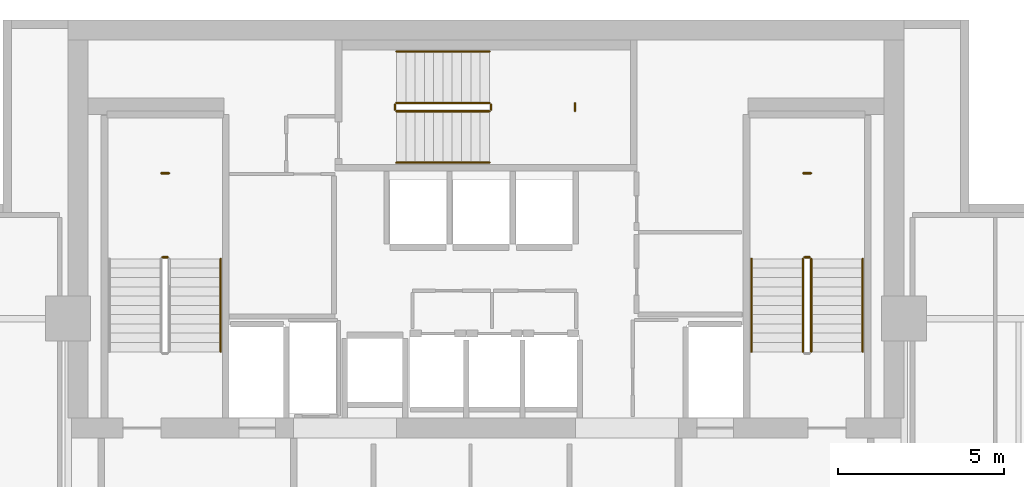
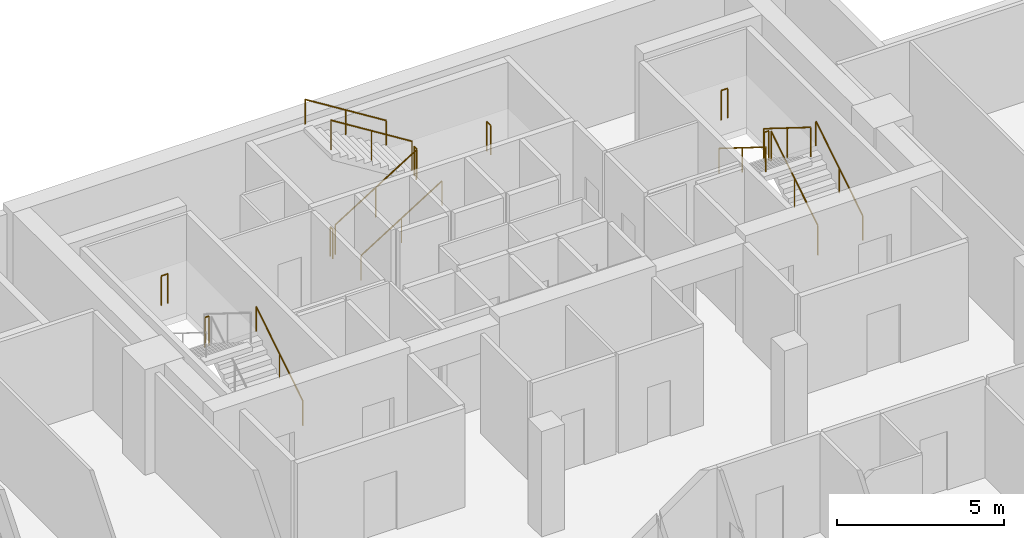
# One storey, part 24 of 24: 16 railings.
"""IFC4 building model written with IfcOpenShell, lengths in metres."""

import ifcopenshell
import ifcopenshell.guid

model = None  # the IFC model being written
_history = None  # IfcOwnerHistory: only IFC2X3 demands one
_inside = {}  # id of a spatial element -> (the spatial element, [elements in it])
_under = {}  # id of a project, library or spatial element -> (it, [spatial elements below it])
_declared = {}  # id of a project -> (the project, [libraries it declares])
_typed = {}  # id of a type object -> (the type object, [elements of that type])
_made_of = {}  # id of a material, layer set ... -> (it, [elements and type objects made of it])


def new_model(schema):
    """Start an empty IFC model of exactly this schema.

    Asked for "IFC4X3", IfcOpenShell would pick the latest addendum, in which some entities
    have other attributes; the version numbers below select the first issue.
    IFC2X3 requires an IfcOwnerHistory on every rooted entity: one is made here for all.
    """
    global model, _history
    if schema == "IFC4X3":
        model = ifcopenshell.file(schema_version=(4, 3, 0, 0))
    else:
        model = ifcopenshell.file(schema=schema)
    _inside.clear()
    _under.clear()
    _declared.clear()
    _typed.clear()
    _made_of.clear()
    _history = None
    if model.schema == "IFC2X3":
        org = make("IfcOrganization", Name="unknown")
        user = make(
            "IfcPersonAndOrganization",
            ThePerson=make("IfcPerson", FamilyName="unknown"),
            TheOrganization=org,
        )
        app = make(
            "IfcApplication",
            ApplicationDeveloper=org,
            Version="unknown",
            ApplicationFullName="unknown",
            ApplicationIdentifier="unknown",
        )
        _history = make(
            "IfcOwnerHistory",
            OwningUser=user,
            OwningApplication=app,
            ChangeAction="ADDED",
            CreationDate=0,
        )
    return model


def make(cls, **values):
    """One entity of the class cls with the attributes given. An attribute that is None is left unset."""
    return model.create_entity(
        cls, **{name: value for name, value in values.items() if value is not None}
    )


def rooted(cls, **values):
    """An entity with a GlobalId (a new one), such as an element, a storey or a relation."""
    return make(cls, GlobalId=ifcopenshell.guid.new(), OwnerHistory=_history, **values)


def si_unit(unit_type, name, prefix=None):
    """IfcSIUnit, for example si_unit("LENGTHUNIT", "METRE", prefix="MILLI")."""
    return make("IfcSIUnit", UnitType=unit_type, Prefix=prefix, Name=name)


def assignment(units):
    """IfcUnitAssignment: the units of a project."""
    return None if units is None else make("IfcUnitAssignment", Units=units)


def point(xyz):
    """IfcCartesianPoint."""
    return None if xyz is None else make("IfcCartesianPoint", Coordinates=xyz)


def direction(xyz):
    """IfcDirection."""
    return None if xyz is None else make("IfcDirection", DirectionRatios=xyz)


def frame(location, z_axis=None, x_axis=None):
    """IfcAxis2Placement3D, a coordinate frame: its origin and axes. An axis left out is left unset."""
    return make(
        "IfcAxis2Placement3D",
        Location=point(location),
        Axis=direction(z_axis),
        RefDirection=direction(x_axis),
    )


def frame_2d(location, x_axis=None):
    """IfcAxis2Placement2D, a coordinate frame in the plane: its origin and x axis."""
    return make(
        "IfcAxis2Placement2D", Location=point(location), RefDirection=direction(x_axis)
    )


def origin():
    """The frame at (0, 0, 0) with its axes left unset."""
    return frame((0.0, 0.0, 0.0))


def origin_2d():
    """The frame at (0, 0) in the plane with its x axis left unset."""
    return frame_2d((0.0, 0.0))


def place(relative_to, where):
    """IfcLocalPlacement: puts the frame where relative to a parent placement (None: the world)."""
    return make(
        "IfcLocalPlacement", PlacementRelTo=relative_to, RelativePlacement=where
    )


def context(
    kind, dimensions, precision=None, world=None, true_north=None, identifier=None
):
    """IfcGeometricRepresentationContext, for example the 3D "Model" context."""
    return make(
        "IfcGeometricRepresentationContext",
        ContextIdentifier=identifier,
        ContextType=kind,
        CoordinateSpaceDimension=dimensions,
        Precision=precision,
        WorldCoordinateSystem=world,
        TrueNorth=true_north,
    )


def subcontext(parent, identifier, kind, view, scale=None):
    """IfcGeometricRepresentationSubContext, for example "Body" below "Model"."""
    return make(
        "IfcGeometricRepresentationSubContext",
        ContextIdentifier=identifier,
        ContextType=kind,
        ParentContext=parent,
        TargetScale=scale,
        TargetView=view,
    )


def project(units=None, contexts=None):
    """IfcProject with its units and contexts."""
    return rooted(
        "IfcProject",
        Name="project",
        RepresentationContexts=contexts,
        UnitsInContext=assignment(units),
    )


def spatial(cls, under=None, at=None, **own):
    """A site, building, storey or space (cls), placed at a placement, below another one or the project."""
    s = rooted(cls, ObjectPlacement=at, **own)
    if under is not None:
        _under.setdefault(under.id(), (under, []))[1].append(s)
    return s


def profile(cls, at=None, kind="AREA", **sizes):
    """A parametric profile (cls). Its sizes go by their IFC names, for example OverallWidth=200.0."""
    return make(cls, ProfileType=kind, Position=at, **sizes)


def circle(**sizes):
    """IfcCircleProfileDef."""
    return profile("IfcCircleProfileDef", **sizes)


def extrude(swept, where, along, depth):
    """IfcExtrudedAreaSolid: the profile swept, set in the frame where, extruded along a direction by depth."""
    return make(
        "IfcExtrudedAreaSolid",
        SweptArea=swept,
        Position=where,
        ExtrudedDirection=direction(along),
        Depth=depth,
    )


def shape(context_of_items, identifier, shape_type, items):
    """IfcShapeRepresentation: the items that make up one representation, for example the "Body"."""
    return make(
        "IfcShapeRepresentation",
        ContextOfItems=context_of_items,
        RepresentationIdentifier=identifier,
        RepresentationType=shape_type,
        Items=items,
    )


def material(Name=None, Category=None):
    """IfcMaterial."""
    return make("IfcMaterial", Name=Name, Category=Category)


def made_of(thing, what):
    """Note that an element or type object is made of a material, layer set ...; save() writes the relation."""
    if what is not None:
        _made_of.setdefault(what.id(), (what, []))[1].append(thing)
    return thing


def type_object(cls, material=None, **own):
    """A type object (cls), such as IfcWallType, which elements share."""
    return made_of(rooted(cls, **own), material)


def element(
    cls,
    number,
    at=None,
    inside=None,
    cuts=None,
    type_object=None,
    material=None,
    context=None,
    identifier="Body",
    shape_type=None,
    held_by="IfcProductDefinitionShape",
    body=None,
    shapes=None,
    **own,
):
    """One element of the class cls, such as IfcWall. Its Tag is "e" and its number.

    at: its placement. inside: the storey or other place that contains it. cuts: it is an
    opening in that element (IfcRelVoidsElement). A single representation is given by context,
    identifier, shape_type and body (its items); several are given by shapes. held_by: the class
    of the entity that holds the representations. save() writes the other relations.
    """
    e = rooted(cls, Tag="e%d" % number, ObjectPlacement=at, **own)
    if body is not None:
        shapes = [shape(context, identifier, shape_type, body)]
    if shapes is not None:
        e.Representation = make(held_by, Representations=shapes)
    if inside is not None:
        _inside.setdefault(inside.id(), (inside, []))[1].append(e)
    if cuts is not None:
        rooted(
            "IfcRelVoidsElement", RelatingBuildingElement=cuts, RelatedOpeningElement=e
        )
    if type_object is not None:
        _typed.setdefault(type_object.id(), (type_object, []))[1].append(e)
    return made_of(e, material)


def aggregate(whole, parts):
    """IfcRelAggregates: a whole, such as a stair, and the parts it consists of."""
    return rooted("IfcRelAggregates", RelatingObject=whole, RelatedObjects=parts)


def save(model, path):
    """Write the relations noted so far, then the file.

    IfcRelAggregates (storeys below a building ...), IfcRelContainedInSpatialStructure (elements
    in a storey), IfcRelDefinesByType, IfcRelAssociatesMaterial and IfcRelDeclares: one each for
    every whole, place, type object, material and project.
    """
    for whole, parts in _under.values():
        aggregate(whole, parts)
    for where, things in _inside.values():
        rooted(
            "IfcRelContainedInSpatialStructure",
            RelatedElements=things,
            RelatingStructure=where,
        )
    for kind, things in _typed.values():
        rooted("IfcRelDefinesByType", RelatedObjects=things, RelatingType=kind)
    for what, things in _made_of.values():
        rooted("IfcRelAssociatesMaterial", RelatedObjects=things, RelatingMaterial=what)
    for by, libraries in _declared.values():
        rooted("IfcRelDeclares", RelatingContext=by, RelatedDefinitions=libraries)
    model.write(path)


model = new_model("IFC4")

# Units and contexts
model_context = context("Model", 3, precision=1e-05, world=origin(), true_north=direction((0.0, 1.0)))
body_context = subcontext(model_context, "Body", "Model", "MODEL_VIEW")
ifc_project = project(units=[si_unit("LENGTHUNIT", "METRE"), si_unit("AREAUNIT", "SQUARE_METRE"), si_unit("VOLUMEUNIT", "CUBIC_METRE"), si_unit("PLANEANGLEUNIT", "RADIAN"), si_unit("MASSUNIT", "GRAM", prefix="KILO")], contexts=[model_context])

# Site, building, storey
site_placement = place(None, origin())
site = spatial("IfcSite", under=ifc_project, at=site_placement, CompositionType="ELEMENT")
building_placement = place(site_placement, origin())
building = spatial("IfcBuilding", under=site, at=building_placement, Name="Maruvema Waterfront Hotel and Observation Tower", CompositionType="ELEMENT")
storey_placement = place(building_placement, frame((0.0, 0.0, 325.85009765625)))
storey = spatial("IfcBuildingStorey", under=building, at=storey_placement, Name="L80", CompositionType="ELEMENT", Elevation=325.85009765625)

# Railings
ifc_material_1 = material(Name="Brushed stainless steel Grade 316", Category="steel")
railing_type_1 = type_object("IfcRailingType", Name="Ramp Continuous Wall Handrail 920 mm", PredefinedType="HANDRAIL", material=ifc_material_1)
railing_1_placement = place(storey_placement, frame((29.800048828125, 44.0, 0.1748046875)))
element("IfcRailing", 1, at=railing_1_placement, inside=storey, type_object=railing_type_1, Name="L80 ST-01 stair handrail 1", PredefinedType="HANDRAIL", context=body_context, shape_type="SweptSolid", body=[
    extrude(circle(Radius=0.02392578125, at=origin_2d()), frame((0.0, 0.0, 0.89599609375), z_axis=(0.0, 0.848002457836, 0.529992293815), x_axis=(-1.0, 0.0, 0.0)), (0.0, 0.0, 1.0), 3.302001953125),
    extrude(circle(Radius=0.02099609375, at=origin_2d()), origin(), (0.0, 0.0, 1.0), 0.871826171875),
    extrude(circle(Radius=0.02099609375, at=origin_2d()), frame((0.0, 1.39990234375, 0.875)), (0.0, 0.0, 1.0), 0.871826171875),
    extrude(circle(Radius=0.02099609375, at=origin_2d()), frame((0.0, 2.800048828125, 1.75)), (0.0, 0.0, 1.0), 0.871826171875),
])
railing_2_placement = place(storey_placement, frame((35.10009765625, 49.699951171875, 0.1748046875)))
element("IfcRailing", 2, at=railing_2_placement, inside=storey, type_object=railing_type_1, Name="L80 ST-02 stair handrail 1", PredefinedType="HANDRAIL", context=body_context, shape_type="SweptSolid", body=[
    extrude(circle(Radius=0.02392578125, at=origin_2d()), frame((0.0, 0.0, 0.89599609375), z_axis=(0.847981687118, 0.0, 0.530025526095), x_axis=(0.0, 1.0, 0.0)), (0.0, 0.0, 1.0), 3.3017578125),
    extrude(circle(Radius=0.02099609375, at=origin_2d()), origin(), (0.0, 0.0, 1.0), 0.871826171875),
    extrude(circle(Radius=0.02099609375, at=origin_2d()), frame((1.39990234375, 0.0, 0.875)), (0.0, 0.0, 1.0), 0.871826171875),
    extrude(circle(Radius=0.02099609375, at=origin_2d()), frame((2.7998046875, 0.0, 1.75)), (0.0, 0.0, 1.0), 0.871826171875),
])
railing_3_placement = place(storey_placement, frame((37.89990234375, 53.050048828125, 2.099853515625)))
element("IfcRailing", 3, at=railing_3_placement, inside=storey, type_object=railing_type_1, Name="L80 ST-02 stair handrail 2", PredefinedType="HANDRAIL", context=body_context, shape_type="SweptSolid", body=[
    extrude(circle(Radius=0.02392578125, at=origin_2d()), frame((0.0, 0.0, 0.89599609375), z_axis=(-0.847981687118, 0.0, 0.530025526095), x_axis=(0.0, -1.0, 0.0)), (0.0, 0.0, 1.0), 3.3017578125),
    extrude(circle(Radius=0.02099609375, at=origin_2d()), origin(), (0.0, 0.0, 1.0), 0.871826171875),
    extrude(circle(Radius=0.02099609375, at=origin_2d()), frame((-1.39990234375, 0.0, 0.875)), (0.0, 0.0, 1.0), 0.871826171875),
    extrude(circle(Radius=0.02099609375, at=origin_2d()), frame((-2.7998046875, 0.0, 1.75)), (0.0, 0.0, 1.0), 0.871826171875),
])
railing_4_placement = place(storey_placement, frame((49.14990234375, 44.0, 0.1748046875)))
element("IfcRailing", 4, at=railing_4_placement, inside=storey, type_object=railing_type_1, Name="L80 ST-03 stair handrail 1", PredefinedType="HANDRAIL", context=body_context, shape_type="SweptSolid", body=[
    extrude(circle(Radius=0.02392578125, at=origin_2d()), frame((0.0, 0.0, 0.89599609375), z_axis=(0.0, 0.848002457836, 0.529992293815), x_axis=(-1.0, 0.0, 0.0)), (0.0, 0.0, 1.0), 3.302001953125),
    extrude(circle(Radius=0.02099609375, at=origin_2d()), origin(), (0.0, 0.0, 1.0), 0.871826171875),
    extrude(circle(Radius=0.02099609375, at=origin_2d()), frame((0.0, 1.39990234375, 0.875)), (0.0, 0.0, 1.0), 0.871826171875),
    extrude(circle(Radius=0.02099609375, at=origin_2d()), frame((0.0, 2.800048828125, 1.75)), (0.0, 0.0, 1.0), 0.871826171875),
])
railing_5_placement = place(storey_placement, frame((45.800048828125, 46.800048828125, 2.099853515625)))
element("IfcRailing", 5, at=railing_5_placement, inside=storey, type_object=railing_type_1, Name="L80 ST-03 stair handrail 2", PredefinedType="HANDRAIL", context=body_context, shape_type="SweptSolid", body=[
    extrude(circle(Radius=0.02392578125, at=origin_2d()), frame((0.0, 0.0, 0.89599609375), z_axis=(0.0, -0.848002457836, 0.529992293815), x_axis=(1.0, 0.0, 0.0)), (0.0, 0.0, 1.0), 3.302001953125),
    extrude(circle(Radius=0.02099609375, at=origin_2d()), origin(), (0.0, 0.0, 1.0), 0.871826171875),
    extrude(circle(Radius=0.02099609375, at=origin_2d()), frame((0.0, -1.39990234375, 0.875)), (0.0, 0.0, 1.0), 0.871826171875),
    extrude(circle(Radius=0.02099609375, at=origin_2d()), frame((0.0, -2.800048828125, 1.75)), (0.0, 0.0, 1.0), 0.871826171875),
])
ifc_material_2 = material(Name="Brushed stainless steel Grade 316", Category="steel")
railing_type_2 = type_object("IfcRailingType", Name="Ramp and Terrace Guard Balustrade 1100 mm", PredefinedType="BALUSTRADE", material=ifc_material_2)
railing_6_placement = place(storey_placement, frame((28.199951171875, 46.85009765625, 1.9248046875)))
element("IfcRailing", 6, at=railing_6_placement, inside=storey, type_object=railing_type_2, Name="L80 ST-01 stair guard 2", PredefinedType="BALUSTRADE", context=body_context, shape_type="SweptSolid", body=[
    extrude(circle(Radius=0.02392578125, at=origin_2d()), frame((0.0, 0.0, 1.076171875), z_axis=(-1.0, 0.0, 0.0), x_axis=(0.0, -1.0, 0.0)), (0.0, 0.0, 1.0), 0.14990234375),
    extrude(circle(Radius=0.02099609375, at=origin_2d()), origin(), (0.0, 0.0, 1.0), 1.052001953125),
    extrude(circle(Radius=0.02099609375, at=origin_2d()), frame((-0.14990234375, 0.0, 0.0)), (0.0, 0.0, 1.0), 1.052001953125),
])
railing_7_placement = place(storey_placement, frame((28.239990234375, 49.3798828125, 1.9248046875)))
element("IfcRailing", 7, at=railing_7_placement, inside=storey, type_object=railing_type_2, Name="L80 ST-01 Half-Landing Slot Guard", PredefinedType="BALUSTRADE", context=body_context, shape_type="SweptSolid", body=[
    extrude(circle(Radius=0.02392578125, at=origin_2d()), frame((0.0, 0.0, 1.076171875), z_axis=(-1.0, 0.0, 0.0), x_axis=(0.0, -1.0, 0.0)), (0.0, 0.0, 1.0), 0.22998046875),
    extrude(circle(Radius=0.02099609375, at=origin_2d()), origin(), (0.0, 0.0, 1.0), 1.052001953125),
    extrude(circle(Radius=0.02099609375, at=origin_2d()), frame((-0.22998046875, 0.0, 0.0)), (0.0, 0.0, 1.0), 1.052001953125),
])
railing_8_placement = place(storey_placement, frame((35.10009765625, 51.25, 0.1748046875)))
element("IfcRailing", 8, at=railing_8_placement, inside=storey, type_object=railing_type_2, Name="L80 ST-02 stair guard 1", PredefinedType="BALUSTRADE", context=body_context, shape_type="SweptSolid", body=[
    extrude(circle(Radius=0.02392578125, at=origin_2d()), frame((0.0, 0.0, 1.076171875), z_axis=(0.847981687118, 0.0, 0.530025526095), x_axis=(0.0, 1.0, 0.0)), (0.0, 0.0, 1.0), 3.3017578125),
    extrude(circle(Radius=0.02099609375, at=origin_2d()), origin(), (0.0, 0.0, 1.0), 1.052001953125),
    extrude(circle(Radius=0.02099609375, at=origin_2d()), frame((1.39990234375, 0.0, 0.875)), (0.0, 0.0, 1.0), 1.052001953125),
    extrude(circle(Radius=0.02099609375, at=origin_2d()), frame((2.7998046875, 0.0, 1.75)), (0.0, 0.0, 1.0), 1.052001953125),
])
railing_9_placement = place(storey_placement, frame((37.949951171875, 51.300048828125, 1.9248046875)))
element("IfcRailing", 9, at=railing_9_placement, inside=storey, type_object=railing_type_2, Name="L80 ST-02 stair guard 2", PredefinedType="BALUSTRADE", context=body_context, shape_type="SweptSolid", body=[
    extrude(circle(Radius=0.02392578125, at=origin_2d()), frame((0.0, 0.0, 1.076171875), z_axis=(0.0, 1.0, 0.0), x_axis=(-1.0, 0.0, 0.0)), (0.0, 0.0, 1.0), 0.14990234375),
    extrude(circle(Radius=0.02099609375, at=origin_2d()), origin(), (0.0, 0.0, 1.0), 1.052001953125),
    extrude(circle(Radius=0.02099609375, at=origin_2d()), frame((0.0, 0.14990234375, 0.0)), (0.0, 0.0, 1.0), 1.052001953125),
])
railing_10_placement = place(storey_placement, frame((37.89990234375, 51.5, 2.099853515625)))
element("IfcRailing", 10, at=railing_10_placement, inside=storey, type_object=railing_type_2, Name="L80 ST-02 stair guard 3", PredefinedType="BALUSTRADE", context=body_context, shape_type="SweptSolid", body=[
    extrude(circle(Radius=0.02392578125, at=origin_2d()), frame((0.0, 0.0, 1.076171875), z_axis=(-0.847981687118, 0.0, 0.530025526095), x_axis=(0.0, -1.0, 0.0)), (0.0, 0.0, 1.0), 3.3017578125),
    extrude(circle(Radius=0.02099609375, at=origin_2d()), origin(), (0.0, 0.0, 1.0), 1.052001953125),
    extrude(circle(Radius=0.02099609375, at=origin_2d()), frame((-1.39990234375, 0.0, 0.875)), (0.0, 0.0, 1.0), 1.052001953125),
    extrude(circle(Radius=0.02099609375, at=origin_2d()), frame((-2.7998046875, 0.0, 1.75)), (0.0, 0.0, 1.0), 1.052001953125),
])
railing_11_placement = place(storey_placement, frame((35.050048828125, 51.300048828125, 0.0)))
element("IfcRailing", 11, at=railing_11_placement, inside=storey, type_object=railing_type_2, Name="L80 ST-02 stair guard 4", PredefinedType="BALUSTRADE", context=body_context, shape_type="SweptSolid", body=[
    extrude(circle(Radius=0.02392578125, at=origin_2d()), frame((0.0, 0.0, 1.076171875), z_axis=(0.0, 1.0, 0.0), x_axis=(-1.0, 0.0, 0.0)), (0.0, 0.0, 1.0), 0.14990234375),
    extrude(circle(Radius=0.02099609375, at=origin_2d()), origin(), (0.0, 0.0, 1.0), 1.052001953125),
    extrude(circle(Radius=0.02099609375, at=origin_2d()), frame((0.0, 0.14990234375, 0.0)), (0.0, 0.0, 1.0), 1.052001953125),
])
railing_12_placement = place(storey_placement, frame((40.47998046875, 51.260009765625, 1.9248046875)))
element("IfcRailing", 12, at=railing_12_placement, inside=storey, type_object=railing_type_2, Name="L80 ST-02 Half-Landing Slot Guard", PredefinedType="BALUSTRADE", context=body_context, shape_type="SweptSolid", body=[
    extrude(circle(Radius=0.02392578125, at=origin_2d()), frame((0.0, 0.0, 1.076171875), z_axis=(0.0, 1.0, 0.0), x_axis=(-1.0, 0.0, 0.0)), (0.0, 0.0, 1.0), 0.22998046875),
    extrude(circle(Radius=0.02099609375, at=origin_2d()), origin(), (0.0, 0.0, 1.0), 1.052001953125),
    extrude(circle(Radius=0.02099609375, at=origin_2d()), frame((0.0, 0.22998046875, 0.0)), (0.0, 0.0, 1.0), 1.052001953125),
])
railing_13_placement = place(storey_placement, frame((47.60009765625, 44.0, 0.1748046875)))
element("IfcRailing", 13, at=railing_13_placement, inside=storey, type_object=railing_type_2, Name="L80 ST-03 stair guard 1", PredefinedType="BALUSTRADE", context=body_context, shape_type="SweptSolid", body=[
    extrude(circle(Radius=0.02392578125, at=origin_2d()), frame((0.0, 0.0, 1.076171875), z_axis=(0.0, 0.848002457836, 0.529992293815), x_axis=(-1.0, 0.0, 0.0)), (0.0, 0.0, 1.0), 3.302001953125),
    extrude(circle(Radius=0.02099609375, at=origin_2d()), origin(), (0.0, 0.0, 1.0), 1.052001953125),
    extrude(circle(Radius=0.02099609375, at=origin_2d()), frame((0.0, 1.39990234375, 0.875)), (0.0, 0.0, 1.0), 1.052001953125),
    extrude(circle(Radius=0.02099609375, at=origin_2d()), frame((0.0, 2.800048828125, 1.75)), (0.0, 0.0, 1.0), 1.052001953125),
])
railing_14_placement = place(storey_placement, frame((47.550048828125, 46.85009765625, 1.9248046875)))
element("IfcRailing", 14, at=railing_14_placement, inside=storey, type_object=railing_type_2, Name="L80 ST-03 stair guard 2", PredefinedType="BALUSTRADE", context=body_context, shape_type="SweptSolid", body=[
    extrude(circle(Radius=0.02392578125, at=origin_2d()), frame((0.0, 0.0, 1.076171875), z_axis=(-1.0, 0.0, 0.0), x_axis=(0.0, -1.0, 0.0)), (0.0, 0.0, 1.0), 0.150146484375),
    extrude(circle(Radius=0.02099609375, at=origin_2d()), origin(), (0.0, 0.0, 1.0), 1.052001953125),
    extrude(circle(Radius=0.02099609375, at=origin_2d()), frame((-0.150146484375, 0.0, 0.0)), (0.0, 0.0, 1.0), 1.052001953125),
])
railing_15_placement = place(storey_placement, frame((47.35009765625, 46.800048828125, 2.099853515625)))
element("IfcRailing", 15, at=railing_15_placement, inside=storey, type_object=railing_type_2, Name="L80 ST-03 stair guard 3", PredefinedType="BALUSTRADE", context=body_context, shape_type="SweptSolid", body=[
    extrude(circle(Radius=0.02392578125, at=origin_2d()), frame((0.0, 0.0, 1.076171875), z_axis=(0.0, -0.848002457836, 0.529992293815), x_axis=(1.0, 0.0, 0.0)), (0.0, 0.0, 1.0), 3.302001953125),
    extrude(circle(Radius=0.02099609375, at=origin_2d()), origin(), (0.0, 0.0, 1.0), 1.052001953125),
    extrude(circle(Radius=0.02099609375, at=origin_2d()), frame((0.0, -1.39990234375, 0.875)), (0.0, 0.0, 1.0), 1.052001953125),
    extrude(circle(Radius=0.02099609375, at=origin_2d()), frame((0.0, -2.800048828125, 1.75)), (0.0, 0.0, 1.0), 1.052001953125),
])
railing_16_placement = place(storey_placement, frame((47.590087890625, 49.3798828125, 1.9248046875)))
element("IfcRailing", 16, at=railing_16_placement, inside=storey, type_object=railing_type_2, Name="L80 ST-03 Half-Landing Slot Guard", PredefinedType="BALUSTRADE", context=body_context, shape_type="SweptSolid", body=[
    extrude(circle(Radius=0.02392578125, at=origin_2d()), frame((0.0, 0.0, 1.076171875), z_axis=(-1.0, 0.0, 0.0), x_axis=(0.0, -1.0, 0.0)), (0.0, 0.0, 1.0), 0.22998046875),
    extrude(circle(Radius=0.02099609375, at=origin_2d()), origin(), (0.0, 0.0, 1.0), 1.052001953125),
    extrude(circle(Radius=0.02099609375, at=origin_2d()), frame((-0.22998046875, 0.0, 0.0)), (0.0, 0.0, 1.0), 1.052001953125),
])

save(model, "model.ifc")
